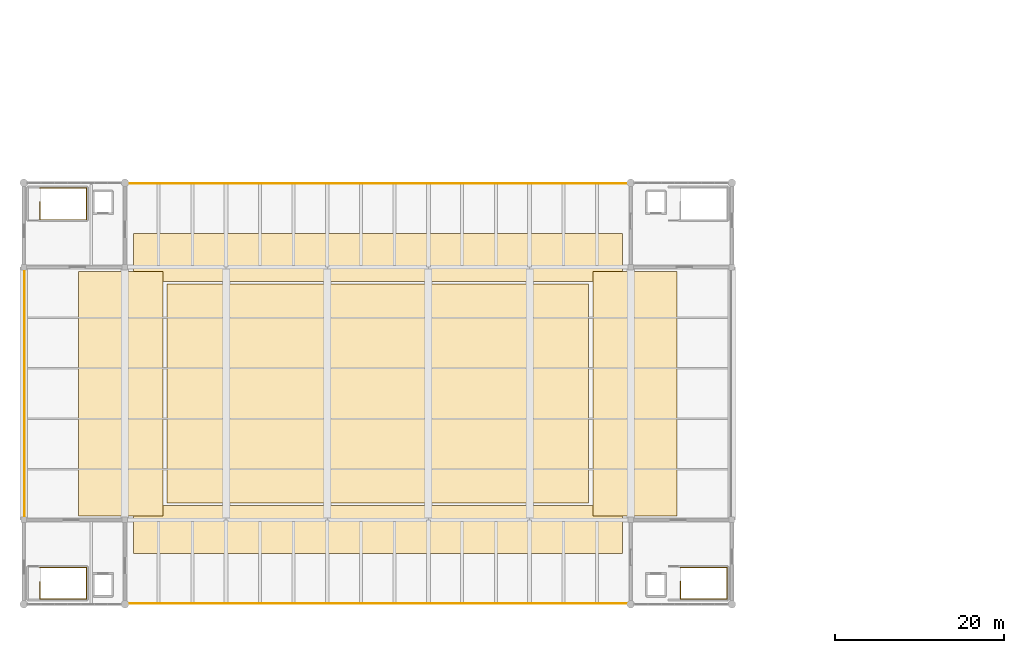
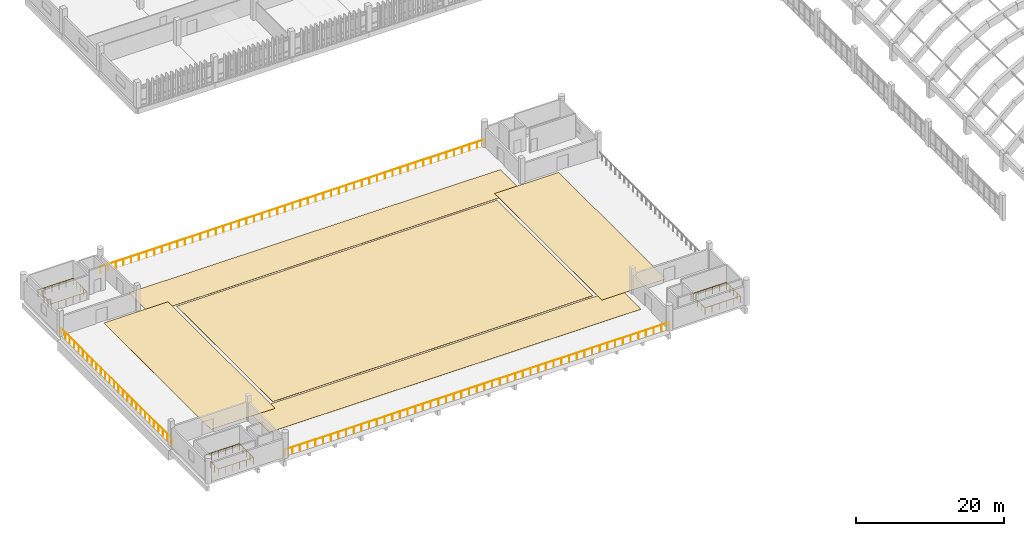
# One storey, part 108 of 111: 6 railings, 5 coverings.
"""IFC4 building model written with IfcOpenShell, lengths in metres."""

from ifc_helpers import new_model, si_unit, direction, frame, origin, origin_2d, place, context, subcontext, project, spatial, polyline, circle, outline, extrude, material, layer, layer_set, type_object, element, save


model = new_model("IFC4")

# Units and contexts
model_context = context("Model", 3, precision=1e-05, world=origin(), true_north=direction((0.0, 1.0)))
body_context = subcontext(model_context, "Body", "Model", "MODEL_VIEW")
ifc_project = project(units=[si_unit("LENGTHUNIT", "METRE"), si_unit("AREAUNIT", "SQUARE_METRE"), si_unit("VOLUMEUNIT", "CUBIC_METRE"), si_unit("PLANEANGLEUNIT", "RADIAN"), si_unit("MASSUNIT", "GRAM", prefix="KILO")], contexts=[model_context])

# Site, building, storey
site_placement = place(None, origin())
site = spatial("IfcSite", under=ifc_project, at=site_placement, CompositionType="ELEMENT")
building_placement = place(site_placement, origin())
building = spatial("IfcBuilding", under=site, at=building_placement, Name="Mersad Railyard Sports Hall", CompositionType="ELEMENT")
storey_placement = place(building_placement, frame((0.0, 0.0, 9.0)))
storey = spatial("IfcBuildingStorey", under=building, at=storey_placement, Name="L02", CompositionType="ELEMENT", Elevation=9.0)

# Coverings
ifc_material_1 = material(Name="Running track surfacing")
ifc_layer_1 = layer(ifc_material_1, 0.02490234375)
ifc_layer_set_1 = layer_set([ifc_layer_1], Name="Running track surfacing")
covering_type_1 = type_object("IfcCoveringType", Name="ARC-CV-FL02", PredefinedType="FLOORING", material=ifc_layer_set_1)
covering_1_placement = place(storey_placement, origin())
element("IfcCovering", 1, at=covering_1_placement, inside=storey, type_object=covering_type_1, Name="Rooftop south sprint track lanes 023", PredefinedType="FLOORING", context=body_context, shape_type="SweptSolid", body=[
    extrude(outline(polyline([(20.0, 9.5), (78.0, 9.5), (78.0, 15.199951171875), (20.0, 15.199951171875), (20.0, 9.5)])), origin(), (0.0, 0.0, 1.0), 0.02490234375),
])
covering_2_placement = place(storey_placement, origin())
element("IfcCovering", 2, at=covering_2_placement, inside=storey, type_object=covering_type_1, Name="Rooftop north sprint track lanes 024", PredefinedType="FLOORING", context=body_context, shape_type="SweptSolid", body=[
    extrude(outline(polyline([(20.0, 41.800048828125), (78.0, 41.800048828125), (78.0, 47.5), (20.0, 47.5), (20.0, 41.800048828125)])), origin(), (0.0, 0.0, 1.0), 0.02490234375),
])
covering_3_placement = place(storey_placement, origin())
element("IfcCovering", 3, at=covering_3_placement, inside=storey, type_object=covering_type_1, Name="Rooftop west track bend 025", PredefinedType="FLOORING", context=body_context, shape_type="SweptSolid", body=[
    extrude(outline(polyline([(13.5, 14.0), (23.5, 14.0), (23.5, 43.0), (13.5, 43.0), (13.5, 14.0)])), origin(), (0.0, 0.0, 1.0), 0.02490234375),
])
covering_4_placement = place(storey_placement, origin())
element("IfcCovering", 4, at=covering_4_placement, inside=storey, type_object=covering_type_1, Name="Rooftop east track bend 026", PredefinedType="FLOORING", context=body_context, shape_type="SweptSolid", body=[
    extrude(outline(polyline([(74.5, 14.0), (84.5, 14.0), (84.5, 43.0), (74.5, 43.0), (74.5, 14.0)])), origin(), (0.0, 0.0, 1.0), 0.02490234375),
])
ifc_material_2 = material(Name="Pitch turf surfacing")
ifc_layer_2 = layer(ifc_material_2, 0.034912109375)
ifc_layer_set_2 = layer_set([ifc_layer_2], Name="Pitch turf surfacing")
covering_type_2 = type_object("IfcCoveringType", Name="ARC-CV-FL03", PredefinedType="FLOORING", material=ifc_layer_set_2)
covering_5_placement = place(storey_placement, origin())
element("IfcCovering", 5, at=covering_5_placement, inside=storey, type_object=covering_type_2, Name="Rooftop synthetic turf sports pitch 022", PredefinedType="FLOORING", context=body_context, shape_type="SweptSolid", body=[
    extrude(outline(polyline([(24.0, 15.5), (74.0, 15.5), (74.0, 41.5), (24.0, 41.5), (24.0, 15.5)])), origin(), (0.0, 0.0, 1.0), 0.034912109375),
])

# Railings
ifc_material_3 = material(Name="Aluminium 6063-T6", Category="aluminium")
railing_type_1 = type_object("IfcRailingType", Name="ARC-RL-BL01", PredefinedType="BALUSTRADE", material=ifc_material_3)
railing_1_placement = place(storey_placement, frame((19.0, 3.60009765625, 0.0)))
element("IfcRailing", 6, at=railing_1_placement, inside=storey, type_object=railing_type_1, Name="Perimeter guard BL01-0001", PredefinedType="BALUSTRADE", context=body_context, shape_type="SweptSolid", body=[
    extrude(circle(Radius=0.02392578125, at=origin_2d()), frame((0.0, 0.0, 1.09619140625), z_axis=(1.0, 0.0, 0.0), x_axis=(0.0, 1.0, 0.0)), (0.0, 0.0, 1.0), 60.0),
    extrude(circle(Radius=0.02099609375, at=origin_2d()), origin(), (0.0, 0.0, 1.0), 1.072021484375),
    extrude(circle(Radius=0.02099609375, at=origin_2d()), frame((1.199951171875, 0.0, 0.0)), (0.0, 0.0, 1.0), 1.072021484375),
    extrude(circle(Radius=0.02099609375, at=origin_2d()), frame((2.39990234375, 0.0, 0.0)), (0.0, 0.0, 1.0), 1.072021484375),
    extrude(circle(Radius=0.02099609375, at=origin_2d()), frame((3.60009765625, 0.0, 0.0)), (0.0, 0.0, 1.0), 1.072021484375),
    extrude(circle(Radius=0.02099609375, at=origin_2d()), frame((4.800048828125, 0.0, 0.0)), (0.0, 0.0, 1.0), 1.072021484375),
    extrude(circle(Radius=0.02099609375, at=origin_2d()), frame((6.0, 0.0, 0.0)), (0.0, 0.0, 1.0), 1.072021484375),
    extrude(circle(Radius=0.02099609375, at=origin_2d()), frame((7.199951171875, 0.0, 0.0)), (0.0, 0.0, 1.0), 1.072021484375),
    extrude(circle(Radius=0.02099609375, at=origin_2d()), frame((8.39990234375, 0.0, 0.0)), (0.0, 0.0, 1.0), 1.072021484375),
    extrude(circle(Radius=0.02099609375, at=origin_2d()), frame((9.60009765625, 0.0, 0.0)), (0.0, 0.0, 1.0), 1.072021484375),
    extrude(circle(Radius=0.02099609375, at=origin_2d()), frame((10.800048828125, 0.0, 0.0)), (0.0, 0.0, 1.0), 1.072021484375),
    extrude(circle(Radius=0.02099609375, at=origin_2d()), frame((12.0, 0.0, 0.0)), (0.0, 0.0, 1.0), 1.072021484375),
    extrude(circle(Radius=0.02099609375, at=origin_2d()), frame((13.199951171875, 0.0, 0.0)), (0.0, 0.0, 1.0), 1.072021484375),
    extrude(circle(Radius=0.02099609375, at=origin_2d()), frame((14.39990234375, 0.0, 0.0)), (0.0, 0.0, 1.0), 1.072021484375),
    extrude(circle(Radius=0.02099609375, at=origin_2d()), frame((15.60009765625, 0.0, 0.0)), (0.0, 0.0, 1.0), 1.072021484375),
    extrude(circle(Radius=0.02099609375, at=origin_2d()), frame((16.800048828125, 0.0, 0.0)), (0.0, 0.0, 1.0), 1.072021484375),
    extrude(circle(Radius=0.02099609375, at=origin_2d()), frame((18.0, 0.0, 0.0)), (0.0, 0.0, 1.0), 1.072021484375),
    extrude(circle(Radius=0.02099609375, at=origin_2d()), frame((19.199951171875, 0.0, 0.0)), (0.0, 0.0, 1.0), 1.072021484375),
    extrude(circle(Radius=0.02099609375, at=origin_2d()), frame((20.39990234375, 0.0, 0.0)), (0.0, 0.0, 1.0), 1.072021484375),
    extrude(circle(Radius=0.02099609375, at=origin_2d()), frame((21.60009765625, 0.0, 0.0)), (0.0, 0.0, 1.0), 1.072021484375),
    extrude(circle(Radius=0.02099609375, at=origin_2d()), frame((22.800048828125, 0.0, 0.0)), (0.0, 0.0, 1.0), 1.072021484375),
    extrude(circle(Radius=0.02099609375, at=origin_2d()), frame((24.0, 0.0, 0.0)), (0.0, 0.0, 1.0), 1.072021484375),
    extrude(circle(Radius=0.02099609375, at=origin_2d()), frame((25.199951171875, 0.0, 0.0)), (0.0, 0.0, 1.0), 1.072021484375),
    extrude(circle(Radius=0.02099609375, at=origin_2d()), frame((26.39990234375, 0.0, 0.0)), (0.0, 0.0, 1.0), 1.072021484375),
    extrude(circle(Radius=0.02099609375, at=origin_2d()), frame((27.60009765625, 0.0, 0.0)), (0.0, 0.0, 1.0), 1.072021484375),
    extrude(circle(Radius=0.02099609375, at=origin_2d()), frame((28.800048828125, 0.0, 0.0)), (0.0, 0.0, 1.0), 1.072021484375),
    extrude(circle(Radius=0.02099609375, at=origin_2d()), frame((30.0, 0.0, 0.0)), (0.0, 0.0, 1.0), 1.072021484375),
    extrude(circle(Radius=0.02099609375, at=origin_2d()), frame((31.199951171875, 0.0, 0.0)), (0.0, 0.0, 1.0), 1.072021484375),
    extrude(circle(Radius=0.02099609375, at=origin_2d()), frame((32.39990234375, 0.0, 0.0)), (0.0, 0.0, 1.0), 1.072021484375),
    extrude(circle(Radius=0.02099609375, at=origin_2d()), frame((33.60009765625, 0.0, 0.0)), (0.0, 0.0, 1.0), 1.072021484375),
    extrude(circle(Radius=0.02099609375, at=origin_2d()), frame((34.800048828125, 0.0, 0.0)), (0.0, 0.0, 1.0), 1.072021484375),
    extrude(circle(Radius=0.02099609375, at=origin_2d()), frame((36.0, 0.0, 0.0)), (0.0, 0.0, 1.0), 1.072021484375),
    extrude(circle(Radius=0.02099609375, at=origin_2d()), frame((37.199951171875, 0.0, 0.0)), (0.0, 0.0, 1.0), 1.072021484375),
    extrude(circle(Radius=0.02099609375, at=origin_2d()), frame((38.39990234375, 0.0, 0.0)), (0.0, 0.0, 1.0), 1.072021484375),
    extrude(circle(Radius=0.02099609375, at=origin_2d()), frame((39.60009765625, 0.0, 0.0)), (0.0, 0.0, 1.0), 1.072021484375),
    extrude(circle(Radius=0.02099609375, at=origin_2d()), frame((40.800048828125, 0.0, 0.0)), (0.0, 0.0, 1.0), 1.072021484375),
    extrude(circle(Radius=0.02099609375, at=origin_2d()), frame((42.0, 0.0, 0.0)), (0.0, 0.0, 1.0), 1.072021484375),
    extrude(circle(Radius=0.02099609375, at=origin_2d()), frame((43.199951171875, 0.0, 0.0)), (0.0, 0.0, 1.0), 1.072021484375),
    extrude(circle(Radius=0.02099609375, at=origin_2d()), frame((44.39990234375, 0.0, 0.0)), (0.0, 0.0, 1.0), 1.072021484375),
    extrude(circle(Radius=0.02099609375, at=origin_2d()), frame((45.60009765625, 0.0, 0.0)), (0.0, 0.0, 1.0), 1.072021484375),
    extrude(circle(Radius=0.02099609375, at=origin_2d()), frame((46.800048828125, 0.0, 0.0)), (0.0, 0.0, 1.0), 1.072021484375),
    extrude(circle(Radius=0.02099609375, at=origin_2d()), frame((48.0, 0.0, 0.0)), (0.0, 0.0, 1.0), 1.072021484375),
    extrude(circle(Radius=0.02099609375, at=origin_2d()), frame((49.199951171875, 0.0, 0.0)), (0.0, 0.0, 1.0), 1.072021484375),
    extrude(circle(Radius=0.02099609375, at=origin_2d()), frame((50.39990234375, 0.0, 0.0)), (0.0, 0.0, 1.0), 1.072021484375),
    extrude(circle(Radius=0.02099609375, at=origin_2d()), frame((51.60009765625, 0.0, 0.0)), (0.0, 0.0, 1.0), 1.072021484375),
    extrude(circle(Radius=0.02099609375, at=origin_2d()), frame((52.800048828125, 0.0, 0.0)), (0.0, 0.0, 1.0), 1.072021484375),
    extrude(circle(Radius=0.02099609375, at=origin_2d()), frame((54.0, 0.0, 0.0)), (0.0, 0.0, 1.0), 1.072021484375),
    extrude(circle(Radius=0.02099609375, at=origin_2d()), frame((55.199951171875, 0.0, 0.0)), (0.0, 0.0, 1.0), 1.072021484375),
    extrude(circle(Radius=0.02099609375, at=origin_2d()), frame((56.39990234375, 0.0, 0.0)), (0.0, 0.0, 1.0), 1.072021484375),
    extrude(circle(Radius=0.02099609375, at=origin_2d()), frame((57.60009765625, 0.0, 0.0)), (0.0, 0.0, 1.0), 1.072021484375),
    extrude(circle(Radius=0.02099609375, at=origin_2d()), frame((58.800048828125, 0.0, 0.0)), (0.0, 0.0, 1.0), 1.072021484375),
    extrude(circle(Radius=0.02099609375, at=origin_2d()), frame((60.0, 0.0, 0.0)), (0.0, 0.0, 1.0), 1.072021484375),
])
railing_2_placement = place(storey_placement, frame((19.0, 53.39990234375, 0.0)))
element("IfcRailing", 7, at=railing_2_placement, inside=storey, type_object=railing_type_1, Name="Perimeter guard BL01-0002", PredefinedType="BALUSTRADE", context=body_context, shape_type="SweptSolid", body=[
    extrude(circle(Radius=0.02392578125, at=origin_2d()), frame((0.0, 0.0, 1.09619140625), z_axis=(1.0, 0.0, 0.0), x_axis=(0.0, 1.0, 0.0)), (0.0, 0.0, 1.0), 60.0),
    extrude(circle(Radius=0.02099609375, at=origin_2d()), origin(), (0.0, 0.0, 1.0), 1.072021484375),
    extrude(circle(Radius=0.02099609375, at=origin_2d()), frame((1.199951171875, 0.0, 0.0)), (0.0, 0.0, 1.0), 1.072021484375),
    extrude(circle(Radius=0.02099609375, at=origin_2d()), frame((2.39990234375, 0.0, 0.0)), (0.0, 0.0, 1.0), 1.072021484375),
    extrude(circle(Radius=0.02099609375, at=origin_2d()), frame((3.60009765625, 0.0, 0.0)), (0.0, 0.0, 1.0), 1.072021484375),
    extrude(circle(Radius=0.02099609375, at=origin_2d()), frame((4.800048828125, 0.0, 0.0)), (0.0, 0.0, 1.0), 1.072021484375),
    extrude(circle(Radius=0.02099609375, at=origin_2d()), frame((6.0, 0.0, 0.0)), (0.0, 0.0, 1.0), 1.072021484375),
    extrude(circle(Radius=0.02099609375, at=origin_2d()), frame((7.199951171875, 0.0, 0.0)), (0.0, 0.0, 1.0), 1.072021484375),
    extrude(circle(Radius=0.02099609375, at=origin_2d()), frame((8.39990234375, 0.0, 0.0)), (0.0, 0.0, 1.0), 1.072021484375),
    extrude(circle(Radius=0.02099609375, at=origin_2d()), frame((9.60009765625, 0.0, 0.0)), (0.0, 0.0, 1.0), 1.072021484375),
    extrude(circle(Radius=0.02099609375, at=origin_2d()), frame((10.800048828125, 0.0, 0.0)), (0.0, 0.0, 1.0), 1.072021484375),
    extrude(circle(Radius=0.02099609375, at=origin_2d()), frame((12.0, 0.0, 0.0)), (0.0, 0.0, 1.0), 1.072021484375),
    extrude(circle(Radius=0.02099609375, at=origin_2d()), frame((13.199951171875, 0.0, 0.0)), (0.0, 0.0, 1.0), 1.072021484375),
    extrude(circle(Radius=0.02099609375, at=origin_2d()), frame((14.39990234375, 0.0, 0.0)), (0.0, 0.0, 1.0), 1.072021484375),
    extrude(circle(Radius=0.02099609375, at=origin_2d()), frame((15.60009765625, 0.0, 0.0)), (0.0, 0.0, 1.0), 1.072021484375),
    extrude(circle(Radius=0.02099609375, at=origin_2d()), frame((16.800048828125, 0.0, 0.0)), (0.0, 0.0, 1.0), 1.072021484375),
    extrude(circle(Radius=0.02099609375, at=origin_2d()), frame((18.0, 0.0, 0.0)), (0.0, 0.0, 1.0), 1.072021484375),
    extrude(circle(Radius=0.02099609375, at=origin_2d()), frame((19.199951171875, 0.0, 0.0)), (0.0, 0.0, 1.0), 1.072021484375),
    extrude(circle(Radius=0.02099609375, at=origin_2d()), frame((20.39990234375, 0.0, 0.0)), (0.0, 0.0, 1.0), 1.072021484375),
    extrude(circle(Radius=0.02099609375, at=origin_2d()), frame((21.60009765625, 0.0, 0.0)), (0.0, 0.0, 1.0), 1.072021484375),
    extrude(circle(Radius=0.02099609375, at=origin_2d()), frame((22.800048828125, 0.0, 0.0)), (0.0, 0.0, 1.0), 1.072021484375),
    extrude(circle(Radius=0.02099609375, at=origin_2d()), frame((24.0, 0.0, 0.0)), (0.0, 0.0, 1.0), 1.072021484375),
    extrude(circle(Radius=0.02099609375, at=origin_2d()), frame((25.199951171875, 0.0, 0.0)), (0.0, 0.0, 1.0), 1.072021484375),
    extrude(circle(Radius=0.02099609375, at=origin_2d()), frame((26.39990234375, 0.0, 0.0)), (0.0, 0.0, 1.0), 1.072021484375),
    extrude(circle(Radius=0.02099609375, at=origin_2d()), frame((27.60009765625, 0.0, 0.0)), (0.0, 0.0, 1.0), 1.072021484375),
    extrude(circle(Radius=0.02099609375, at=origin_2d()), frame((28.800048828125, 0.0, 0.0)), (0.0, 0.0, 1.0), 1.072021484375),
    extrude(circle(Radius=0.02099609375, at=origin_2d()), frame((30.0, 0.0, 0.0)), (0.0, 0.0, 1.0), 1.072021484375),
    extrude(circle(Radius=0.02099609375, at=origin_2d()), frame((31.199951171875, 0.0, 0.0)), (0.0, 0.0, 1.0), 1.072021484375),
    extrude(circle(Radius=0.02099609375, at=origin_2d()), frame((32.39990234375, 0.0, 0.0)), (0.0, 0.0, 1.0), 1.072021484375),
    extrude(circle(Radius=0.02099609375, at=origin_2d()), frame((33.60009765625, 0.0, 0.0)), (0.0, 0.0, 1.0), 1.072021484375),
    extrude(circle(Radius=0.02099609375, at=origin_2d()), frame((34.800048828125, 0.0, 0.0)), (0.0, 0.0, 1.0), 1.072021484375),
    extrude(circle(Radius=0.02099609375, at=origin_2d()), frame((36.0, 0.0, 0.0)), (0.0, 0.0, 1.0), 1.072021484375),
    extrude(circle(Radius=0.02099609375, at=origin_2d()), frame((37.199951171875, 0.0, 0.0)), (0.0, 0.0, 1.0), 1.072021484375),
    extrude(circle(Radius=0.02099609375, at=origin_2d()), frame((38.39990234375, 0.0, 0.0)), (0.0, 0.0, 1.0), 1.072021484375),
    extrude(circle(Radius=0.02099609375, at=origin_2d()), frame((39.60009765625, 0.0, 0.0)), (0.0, 0.0, 1.0), 1.072021484375),
    extrude(circle(Radius=0.02099609375, at=origin_2d()), frame((40.800048828125, 0.0, 0.0)), (0.0, 0.0, 1.0), 1.072021484375),
    extrude(circle(Radius=0.02099609375, at=origin_2d()), frame((42.0, 0.0, 0.0)), (0.0, 0.0, 1.0), 1.072021484375),
    extrude(circle(Radius=0.02099609375, at=origin_2d()), frame((43.199951171875, 0.0, 0.0)), (0.0, 0.0, 1.0), 1.072021484375),
    extrude(circle(Radius=0.02099609375, at=origin_2d()), frame((44.39990234375, 0.0, 0.0)), (0.0, 0.0, 1.0), 1.072021484375),
    extrude(circle(Radius=0.02099609375, at=origin_2d()), frame((45.60009765625, 0.0, 0.0)), (0.0, 0.0, 1.0), 1.072021484375),
    extrude(circle(Radius=0.02099609375, at=origin_2d()), frame((46.800048828125, 0.0, 0.0)), (0.0, 0.0, 1.0), 1.072021484375),
    extrude(circle(Radius=0.02099609375, at=origin_2d()), frame((48.0, 0.0, 0.0)), (0.0, 0.0, 1.0), 1.072021484375),
    extrude(circle(Radius=0.02099609375, at=origin_2d()), frame((49.199951171875, 0.0, 0.0)), (0.0, 0.0, 1.0), 1.072021484375),
    extrude(circle(Radius=0.02099609375, at=origin_2d()), frame((50.39990234375, 0.0, 0.0)), (0.0, 0.0, 1.0), 1.072021484375),
    extrude(circle(Radius=0.02099609375, at=origin_2d()), frame((51.60009765625, 0.0, 0.0)), (0.0, 0.0, 1.0), 1.072021484375),
    extrude(circle(Radius=0.02099609375, at=origin_2d()), frame((52.800048828125, 0.0, 0.0)), (0.0, 0.0, 1.0), 1.072021484375),
    extrude(circle(Radius=0.02099609375, at=origin_2d()), frame((54.0, 0.0, 0.0)), (0.0, 0.0, 1.0), 1.072021484375),
    extrude(circle(Radius=0.02099609375, at=origin_2d()), frame((55.199951171875, 0.0, 0.0)), (0.0, 0.0, 1.0), 1.072021484375),
    extrude(circle(Radius=0.02099609375, at=origin_2d()), frame((56.39990234375, 0.0, 0.0)), (0.0, 0.0, 1.0), 1.072021484375),
    extrude(circle(Radius=0.02099609375, at=origin_2d()), frame((57.60009765625, 0.0, 0.0)), (0.0, 0.0, 1.0), 1.072021484375),
    extrude(circle(Radius=0.02099609375, at=origin_2d()), frame((58.800048828125, 0.0, 0.0)), (0.0, 0.0, 1.0), 1.072021484375),
    extrude(circle(Radius=0.02099609375, at=origin_2d()), frame((60.0, 0.0, 0.0)), (0.0, 0.0, 1.0), 1.072021484375),
])
railing_3_placement = place(storey_placement, frame((7.10009765625, 13.5, 0.0)))
element("IfcRailing", 8, at=railing_3_placement, inside=storey, type_object=railing_type_1, Name="Perimeter guard BL01-0003", PredefinedType="BALUSTRADE", context=body_context, shape_type="SweptSolid", body=[
    extrude(circle(Radius=0.02392578125, at=origin_2d()), frame((0.0, 0.0, 1.09619140625), z_axis=(0.0, 1.0, 0.0), x_axis=(-1.0, 0.0, 0.0)), (0.0, 0.0, 1.0), 30.0),
    extrude(circle(Radius=0.02099609375, at=origin_2d()), origin(), (0.0, 0.0, 1.0), 1.072021484375),
    extrude(circle(Radius=0.02099609375, at=origin_2d()), frame((0.0, 1.199951171875, 0.0)), (0.0, 0.0, 1.0), 1.072021484375),
    extrude(circle(Radius=0.02099609375, at=origin_2d()), frame((0.0, 2.39990234375, 0.0)), (0.0, 0.0, 1.0), 1.072021484375),
    extrude(circle(Radius=0.02099609375, at=origin_2d()), frame((0.0, 3.60009765625, 0.0)), (0.0, 0.0, 1.0), 1.072021484375),
    extrude(circle(Radius=0.02099609375, at=origin_2d()), frame((0.0, 4.800048828125, 0.0)), (0.0, 0.0, 1.0), 1.072021484375),
    extrude(circle(Radius=0.02099609375, at=origin_2d()), frame((0.0, 6.0, 0.0)), (0.0, 0.0, 1.0), 1.072021484375),
    extrude(circle(Radius=0.02099609375, at=origin_2d()), frame((0.0, 7.199951171875, 0.0)), (0.0, 0.0, 1.0), 1.072021484375),
    extrude(circle(Radius=0.02099609375, at=origin_2d()), frame((0.0, 8.39990234375, 0.0)), (0.0, 0.0, 1.0), 1.072021484375),
    extrude(circle(Radius=0.02099609375, at=origin_2d()), frame((0.0, 9.60009765625, 0.0)), (0.0, 0.0, 1.0), 1.072021484375),
    extrude(circle(Radius=0.02099609375, at=origin_2d()), frame((0.0, 10.800048828125, 0.0)), (0.0, 0.0, 1.0), 1.072021484375),
    extrude(circle(Radius=0.02099609375, at=origin_2d()), frame((0.0, 12.0, 0.0)), (0.0, 0.0, 1.0), 1.072021484375),
    extrude(circle(Radius=0.02099609375, at=origin_2d()), frame((0.0, 13.199951171875, 0.0)), (0.0, 0.0, 1.0), 1.072021484375),
    extrude(circle(Radius=0.02099609375, at=origin_2d()), frame((0.0, 14.39990234375, 0.0)), (0.0, 0.0, 1.0), 1.072021484375),
    extrude(circle(Radius=0.02099609375, at=origin_2d()), frame((0.0, 15.60009765625, 0.0)), (0.0, 0.0, 1.0), 1.072021484375),
    extrude(circle(Radius=0.02099609375, at=origin_2d()), frame((0.0, 16.800048828125, 0.0)), (0.0, 0.0, 1.0), 1.072021484375),
    extrude(circle(Radius=0.02099609375, at=origin_2d()), frame((0.0, 18.0, 0.0)), (0.0, 0.0, 1.0), 1.072021484375),
    extrude(circle(Radius=0.02099609375, at=origin_2d()), frame((0.0, 19.199951171875, 0.0)), (0.0, 0.0, 1.0), 1.072021484375),
    extrude(circle(Radius=0.02099609375, at=origin_2d()), frame((0.0, 20.39990234375, 0.0)), (0.0, 0.0, 1.0), 1.072021484375),
    extrude(circle(Radius=0.02099609375, at=origin_2d()), frame((0.0, 21.60009765625, 0.0)), (0.0, 0.0, 1.0), 1.072021484375),
    extrude(circle(Radius=0.02099609375, at=origin_2d()), frame((0.0, 22.800048828125, 0.0)), (0.0, 0.0, 1.0), 1.072021484375),
    extrude(circle(Radius=0.02099609375, at=origin_2d()), frame((0.0, 24.0, 0.0)), (0.0, 0.0, 1.0), 1.072021484375),
    extrude(circle(Radius=0.02099609375, at=origin_2d()), frame((0.0, 25.199951171875, 0.0)), (0.0, 0.0, 1.0), 1.072021484375),
    extrude(circle(Radius=0.02099609375, at=origin_2d()), frame((0.0, 26.39990234375, 0.0)), (0.0, 0.0, 1.0), 1.072021484375),
    extrude(circle(Radius=0.02099609375, at=origin_2d()), frame((0.0, 27.60009765625, 0.0)), (0.0, 0.0, 1.0), 1.072021484375),
    extrude(circle(Radius=0.02099609375, at=origin_2d()), frame((0.0, 28.800048828125, 0.0)), (0.0, 0.0, 1.0), 1.072021484375),
    extrude(circle(Radius=0.02099609375, at=origin_2d()), frame((0.0, 30.0, 0.0)), (0.0, 0.0, 1.0), 1.072021484375),
])
ifc_material_4 = material(Name="Steel S355", Category="steel")
railing_type_2 = type_object("IfcRailingType", Name="ARC-RL-GR01", PredefinedType="GUARDRAIL", material=ifc_material_4)
railing_4_placement = place(storey_placement, frame((8.909912109375, 6.169921875, 0.0)))
element("IfcRailing", 9, at=railing_4_placement, inside=storey, type_object=railing_type_2, Name="Interior guard GR01-0110", PredefinedType="GUARDRAIL", context=body_context, shape_type="SweptSolid", body=[
    extrude(circle(Radius=0.02392578125, at=origin_2d()), frame((0.0, 0.0, 1.09619140625), z_axis=(0.0, -1.0, 0.0), x_axis=(1.0, 0.0, 0.0)), (0.0, 0.0, 1.0), 2.0498046875),
    extrude(circle(Radius=0.02392578125, at=origin_2d()), frame((0.0, -2.0498046875, 1.09619140625), z_axis=(1.0, 0.0, 0.0), x_axis=(0.0, 1.0, 0.0)), (0.0, 0.0, 1.0), 5.52001953125),
    extrude(circle(Radius=0.02392578125, at=origin_2d()), frame((5.52001953125, -2.0498046875, 1.09619140625), z_axis=(0.0, 1.0, 0.0), x_axis=(-1.0, 0.0, 0.0)), (0.0, 0.0, 1.0), 3.759765625),
    extrude(circle(Radius=0.02392578125, at=origin_2d()), frame((5.52001953125, 1.7099609375, 1.09619140625), z_axis=(-1.0, 0.0, 0.0), x_axis=(0.0, -1.0, 0.0)), (0.0, 0.0, 1.0), 5.52001953125),
    extrude(circle(Radius=0.02099609375, at=origin_2d()), origin(), (0.0, 0.0, 1.0), 1.072021484375),
    extrude(circle(Radius=0.02099609375, at=origin_2d()), frame((0.0, -1.02490234375, 0.0)), (0.0, 0.0, 1.0), 1.072021484375),
    extrude(circle(Radius=0.02099609375, at=origin_2d()), frame((0.0, -2.0498046875, 0.0)), (0.0, 0.0, 1.0), 1.072021484375),
    extrude(circle(Radius=0.02099609375, at=origin_2d()), frame((1.10400390625, -2.0498046875, 0.0)), (0.0, 0.0, 1.0), 1.072021484375),
    extrude(circle(Radius=0.02099609375, at=origin_2d()), frame((2.2080078125, -2.0498046875, 0.0)), (0.0, 0.0, 1.0), 1.072021484375),
    extrude(circle(Radius=0.02099609375, at=origin_2d()), frame((3.31201171875, -2.0498046875, 0.0)), (0.0, 0.0, 1.0), 1.072021484375),
    extrude(circle(Radius=0.02099609375, at=origin_2d()), frame((4.416015625, -2.0498046875, 0.0)), (0.0, 0.0, 1.0), 1.072021484375),
    extrude(circle(Radius=0.02099609375, at=origin_2d()), frame((5.52001953125, -2.0498046875, 0.0)), (0.0, 0.0, 1.0), 1.072021484375),
    extrude(circle(Radius=0.02099609375, at=origin_2d()), frame((5.52001953125, -1.10986328125, 0.0)), (0.0, 0.0, 1.0), 1.072021484375),
    extrude(circle(Radius=0.02099609375, at=origin_2d()), frame((5.52001953125, -0.169921875, 0.0)), (0.0, 0.0, 1.0), 1.072021484375),
    extrude(circle(Radius=0.02099609375, at=origin_2d()), frame((5.52001953125, 0.77001953125, 0.0)), (0.0, 0.0, 1.0), 1.072021484375),
    extrude(circle(Radius=0.02099609375, at=origin_2d()), frame((5.52001953125, 1.7099609375, 0.0)), (0.0, 0.0, 1.0), 1.072021484375),
    extrude(circle(Radius=0.02099609375, at=origin_2d()), frame((4.416015625, 1.7099609375, 0.0)), (0.0, 0.0, 1.0), 1.072021484375),
    extrude(circle(Radius=0.02099609375, at=origin_2d()), frame((3.31201171875, 1.7099609375, 0.0)), (0.0, 0.0, 1.0), 1.072021484375),
    extrude(circle(Radius=0.02099609375, at=origin_2d()), frame((2.2080078125, 1.7099609375, 0.0)), (0.0, 0.0, 1.0), 1.072021484375),
    extrude(circle(Radius=0.02099609375, at=origin_2d()), frame((1.10400390625, 1.7099609375, 0.0)), (0.0, 0.0, 1.0), 1.072021484375),
    extrude(circle(Radius=0.02099609375, at=origin_2d()), frame((0.0, 1.7099609375, 0.0)), (0.0, 0.0, 1.0), 1.072021484375),
])
railing_5_placement = place(storey_placement, frame((84.909912109375, 6.18994140625, 0.0)))
element("IfcRailing", 10, at=railing_5_placement, inside=storey, type_object=railing_type_2, Name="Interior guard GR01-0120", PredefinedType="GUARDRAIL", context=body_context, shape_type="SweptSolid", body=[
    extrude(circle(Radius=0.02392578125, at=origin_2d()), frame((0.0, 0.0, 1.09619140625), z_axis=(0.0, -1.0, 0.0), x_axis=(1.0, 0.0, 0.0)), (0.0, 0.0, 1.0), 2.06982421875),
    extrude(circle(Radius=0.02392578125, at=origin_2d()), frame((0.0, -2.06982421875, 1.09619140625), z_axis=(1.0, 0.0, 0.0), x_axis=(0.0, 1.0, 0.0)), (0.0, 0.0, 1.0), 5.52001953125),
    extrude(circle(Radius=0.02392578125, at=origin_2d()), frame((5.52001953125, -2.06982421875, 1.09619140625), z_axis=(0.0, 1.0, 0.0), x_axis=(-1.0, 0.0, 0.0)), (0.0, 0.0, 1.0), 3.759765625),
    extrude(circle(Radius=0.02392578125, at=origin_2d()), frame((5.52001953125, 1.68994140625, 1.09619140625), z_axis=(-1.0, 0.0, 0.0), x_axis=(0.0, -1.0, 0.0)), (0.0, 0.0, 1.0), 5.52001953125),
    extrude(circle(Radius=0.02099609375, at=origin_2d()), origin(), (0.0, 0.0, 1.0), 1.072021484375),
    extrude(circle(Radius=0.02099609375, at=origin_2d()), frame((0.0, -1.034912109375, 0.0)), (0.0, 0.0, 1.0), 1.072021484375),
    extrude(circle(Radius=0.02099609375, at=origin_2d()), frame((0.0, -2.06982421875, 0.0)), (0.0, 0.0, 1.0), 1.072021484375),
    extrude(circle(Radius=0.02099609375, at=origin_2d()), frame((1.10400390625, -2.06982421875, 0.0)), (0.0, 0.0, 1.0), 1.072021484375),
    extrude(circle(Radius=0.02099609375, at=origin_2d()), frame((2.2080078125, -2.06982421875, 0.0)), (0.0, 0.0, 1.0), 1.072021484375),
    extrude(circle(Radius=0.02099609375, at=origin_2d()), frame((3.31201171875, -2.06982421875, 0.0)), (0.0, 0.0, 1.0), 1.072021484375),
    extrude(circle(Radius=0.02099609375, at=origin_2d()), frame((4.416015625, -2.06982421875, 0.0)), (0.0, 0.0, 1.0), 1.072021484375),
    extrude(circle(Radius=0.02099609375, at=origin_2d()), frame((5.52001953125, -2.06982421875, 0.0)), (0.0, 0.0, 1.0), 1.072021484375),
    extrude(circle(Radius=0.02099609375, at=origin_2d()), frame((5.52001953125, -1.1298828125, 0.0)), (0.0, 0.0, 1.0), 1.072021484375),
    extrude(circle(Radius=0.02099609375, at=origin_2d()), frame((5.52001953125, -0.18994140625, 0.0)), (0.0, 0.0, 1.0), 1.072021484375),
    extrude(circle(Radius=0.02099609375, at=origin_2d()), frame((5.52001953125, 0.75, 0.0)), (0.0, 0.0, 1.0), 1.072021484375),
    extrude(circle(Radius=0.02099609375, at=origin_2d()), frame((5.52001953125, 1.68994140625, 0.0)), (0.0, 0.0, 1.0), 1.072021484375),
    extrude(circle(Radius=0.02099609375, at=origin_2d()), frame((4.416015625, 1.68994140625, 0.0)), (0.0, 0.0, 1.0), 1.072021484375),
    extrude(circle(Radius=0.02099609375, at=origin_2d()), frame((3.31201171875, 1.68994140625, 0.0)), (0.0, 0.0, 1.0), 1.072021484375),
    extrude(circle(Radius=0.02099609375, at=origin_2d()), frame((2.2080078125, 1.68994140625, 0.0)), (0.0, 0.0, 1.0), 1.072021484375),
    extrude(circle(Radius=0.02099609375, at=origin_2d()), frame((1.10400390625, 1.68994140625, 0.0)), (0.0, 0.0, 1.0), 1.072021484375),
    extrude(circle(Radius=0.02099609375, at=origin_2d()), frame((0.0, 1.68994140625, 0.0)), (0.0, 0.0, 1.0), 1.072021484375),
])
railing_6_placement = place(storey_placement, frame((8.909912109375, 51.2099609375, 0.0)))
element("IfcRailing", 11, at=railing_6_placement, inside=storey, type_object=railing_type_2, Name="Interior guard GR01-0130", PredefinedType="GUARDRAIL", context=body_context, shape_type="SweptSolid", body=[
    extrude(circle(Radius=0.02392578125, at=origin_2d()), frame((0.0, 0.0, 1.09619140625), z_axis=(0.0, -1.0, 0.0), x_axis=(1.0, 0.0, 0.0)), (0.0, 0.0, 1.0), 2.08984375),
    extrude(circle(Radius=0.02392578125, at=origin_2d()), frame((0.0, -2.08984375, 1.09619140625), z_axis=(1.0, 0.0, 0.0), x_axis=(0.0, 1.0, 0.0)), (0.0, 0.0, 1.0), 5.52001953125),
    extrude(circle(Radius=0.02392578125, at=origin_2d()), frame((5.52001953125, -2.08984375, 1.09619140625), z_axis=(0.0, 1.0, 0.0), x_axis=(-1.0, 0.0, 0.0)), (0.0, 0.0, 1.0), 3.759765625),
    extrude(circle(Radius=0.02392578125, at=origin_2d()), frame((5.52001953125, 1.669921875, 1.09619140625), z_axis=(-1.0, 0.0, 0.0), x_axis=(0.0, -1.0, 0.0)), (0.0, 0.0, 1.0), 5.52001953125),
    extrude(circle(Radius=0.02099609375, at=origin_2d()), origin(), (0.0, 0.0, 1.0), 1.072021484375),
    extrude(circle(Radius=0.02099609375, at=origin_2d()), frame((0.0, -1.044921875, 0.0)), (0.0, 0.0, 1.0), 1.072021484375),
    extrude(circle(Radius=0.02099609375, at=origin_2d()), frame((0.0, -2.08984375, 0.0)), (0.0, 0.0, 1.0), 1.072021484375),
    extrude(circle(Radius=0.02099609375, at=origin_2d()), frame((1.10400390625, -2.08984375, 0.0)), (0.0, 0.0, 1.0), 1.072021484375),
    extrude(circle(Radius=0.02099609375, at=origin_2d()), frame((2.2080078125, -2.08984375, 0.0)), (0.0, 0.0, 1.0), 1.072021484375),
    extrude(circle(Radius=0.02099609375, at=origin_2d()), frame((3.31201171875, -2.08984375, 0.0)), (0.0, 0.0, 1.0), 1.072021484375),
    extrude(circle(Radius=0.02099609375, at=origin_2d()), frame((4.416015625, -2.08984375, 0.0)), (0.0, 0.0, 1.0), 1.072021484375),
    extrude(circle(Radius=0.02099609375, at=origin_2d()), frame((5.52001953125, -2.08984375, 0.0)), (0.0, 0.0, 1.0), 1.072021484375),
    extrude(circle(Radius=0.02099609375, at=origin_2d()), frame((5.52001953125, -1.14990234375, 0.0)), (0.0, 0.0, 1.0), 1.072021484375),
    extrude(circle(Radius=0.02099609375, at=origin_2d()), frame((5.52001953125, -0.2099609375, 0.0)), (0.0, 0.0, 1.0), 1.072021484375),
    extrude(circle(Radius=0.02099609375, at=origin_2d()), frame((5.52001953125, 0.72998046875, 0.0)), (0.0, 0.0, 1.0), 1.072021484375),
    extrude(circle(Radius=0.02099609375, at=origin_2d()), frame((5.52001953125, 1.669921875, 0.0)), (0.0, 0.0, 1.0), 1.072021484375),
    extrude(circle(Radius=0.02099609375, at=origin_2d()), frame((4.416015625, 1.669921875, 0.0)), (0.0, 0.0, 1.0), 1.072021484375),
    extrude(circle(Radius=0.02099609375, at=origin_2d()), frame((3.31201171875, 1.669921875, 0.0)), (0.0, 0.0, 1.0), 1.072021484375),
    extrude(circle(Radius=0.02099609375, at=origin_2d()), frame((2.2080078125, 1.669921875, 0.0)), (0.0, 0.0, 1.0), 1.072021484375),
    extrude(circle(Radius=0.02099609375, at=origin_2d()), frame((1.10400390625, 1.669921875, 0.0)), (0.0, 0.0, 1.0), 1.072021484375),
    extrude(circle(Radius=0.02099609375, at=origin_2d()), frame((0.0, 1.669921875, 0.0)), (0.0, 0.0, 1.0), 1.072021484375),
])

save(model, "model.ifc")
